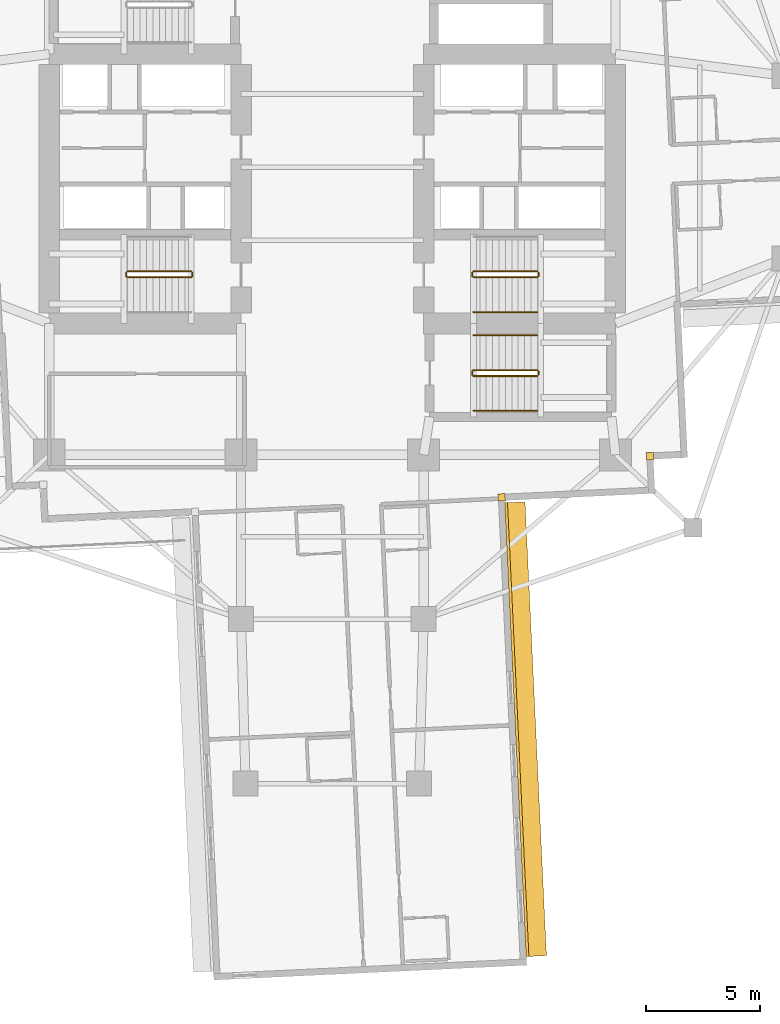
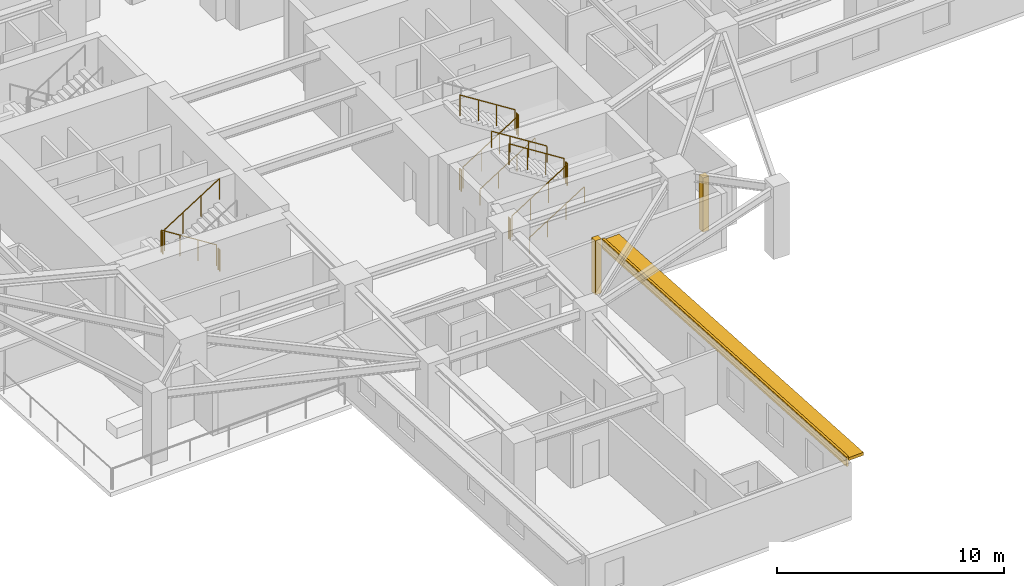
# One storey, part 11 of 14: 15 railings, 3 coverings, 1 shading device.
"""IFC4 building model written with IfcOpenShell, lengths in metres."""

from ifc_helpers import new_model, si_unit, direction, frame, origin, origin_2d, place, context, subcontext, project, spatial, rectangle, circle, extrude, material, layer, layer_set, type_object, element, save


model = new_model("IFC4")

# Units and contexts
model_context = context("Model", 3, precision=1e-05, world=origin(), true_north=direction((0.0, 1.0)))
body_context = subcontext(model_context, "Body", "Model", "MODEL_VIEW")
ifc_project = project(units=[si_unit("LENGTHUNIT", "METRE"), si_unit("AREAUNIT", "SQUARE_METRE"), si_unit("VOLUMEUNIT", "CUBIC_METRE"), si_unit("PLANEANGLEUNIT", "RADIAN"), si_unit("MASSUNIT", "GRAM", prefix="KILO")], contexts=[model_context])

# Site, building, storey
site_placement = place(None, origin())
site = spatial("IfcSite", under=ifc_project, at=site_placement, CompositionType="ELEMENT")
building_placement = place(site_placement, origin())
building = spatial("IfcBuilding", under=site, at=building_placement, Name="Qingluan Cross Belvedere", CompositionType="ELEMENT")
storey_placement = place(building_placement, frame((0.0, 0.0, 52.199951171875)))
storey = spatial("IfcBuildingStorey", under=building, at=storey_placement, Name="L13", CompositionType="ELEMENT", Elevation=52.199951171875)

# Coverings
ifc_material_1 = material(Name="Precast concrete C45", Category="concrete")
ifc_layer_1 = layer(ifc_material_1, 0.1201171875, Name="ConcreteSpandrelCladding_120")
ifc_layer_set_1 = layer_set([ifc_layer_1], Name="Precast concrete C45")
covering_type = type_object("IfcCoveringType", Name="ConcreteSpandrelCladding_120", PredefinedType="CLADDING", material=ifc_layer_set_1)
covering_placement = place(storey_placement, frame((8.07958984375, -24.63671875, 2.449951171875), z_axis=(0.0, 0.0, 1.0), x_axis=(-0.047104684445, 0.998889958255, 0.0)))
element("IfcCovering", 1, at=covering_placement, inside=storey, type_object=covering_type, Name="Spandrel cladding L13-SB", PredefinedType="CLADDING", context=body_context, shape_type="SweptSolid", body=[
    extrude(rectangle(XDim=19.89990234375, YDim=0.1201171875, at=origin_2d()), origin(), (0.0, 0.0, 1.0), 0.52001953125),
])
for number, where, z_axis, x_axis, name in (
    (2, (13.911865234375, -12.65869140625, 0.0), (0.0, 0.0, 1.0), (0.998889874962, 0.04710645071, 0.0), "Corner closure L13-SE1"),
    (3, (7.40966796875, -14.467041015625, 0.0), (0.0, 0.0, 1.0), (0.998889874962, 0.04710645071, 0.0), "Corner closure L13-SE2"),
):
    element("IfcCovering", number, at=place(storey_placement, frame(where, z_axis=z_axis, x_axis=x_axis)), inside=storey, type_object=covering_type, Name=name, PredefinedType="CLADDING", context=body_context, shape_type="SweptSolid", body=[
        extrude(rectangle(XDim=0.320068359375, YDim=0.320068359375, at=origin_2d()), origin(), (0.0, 0.0, 1.0), 2.909912109375),
    ])

# Shading device
ifc_material_2 = material(Name="Precast concrete C45", Category="concrete")
ifc_layer_2 = layer(ifc_material_2, 0.159912109375, Name="ConcreteSunshadeBand_900")
ifc_layer_set_2 = layer_set([ifc_layer_2], Name="Precast concrete C45")
shading_device_type = type_object("IfcShadingDeviceType", Name="ConcreteSunshadeBand_900", PredefinedType="USERDEFINED", material=ifc_layer_set_2)
shading_device_placement = place(storey_placement, frame((8.458984375, -24.618896484375, 2.72998046875), z_axis=(0.0, 0.0, 1.0), x_axis=(-0.047104684445, 0.998889958255, 0.0)))
element("IfcShadingDevice", 4, at=shading_device_placement, inside=storey, type_object=shading_device_type, Name="Concrete SUNSHADE L13-SB", ObjectType="SUNSHADE", PredefinedType="USERDEFINED", context=body_context, shape_type="SweptSolid", body=[
    extrude(rectangle(XDim=19.89990234375, YDim=0.89990234375, at=origin_2d()), origin(), (0.0, 0.0, 1.0), 0.159912109375),
])

# Railings
ifc_material_3 = material(Name="Brushed stainless steel tubular handrail", Category="steel")
railing_type_1 = type_object("IfcRailingType", Name="StairPitchHandrail_900", PredefinedType="HANDRAIL", material=ifc_material_3)
for number, where, name in (
    (5, (6.179931640625, -6.35009765625, 0.17724609375), "L13 ST2 stair handrail 1"),
    (6, (6.179931640625, -10.669921875, 0.17724609375), "L13 ST4 stair handrail 1"),
):
    element("IfcRailing", number, at=place(storey_placement, frame(where)), inside=storey, type_object=railing_type_1, Name=name, PredefinedType="HANDRAIL", context=body_context, shape_type="SweptSolid", body=[
        extrude(circle(Radius=0.02392578125, at=origin_2d()), frame((0.0, 0.0, 0.8759765625), z_axis=(0.844908973607, 0.0, 0.534910110503), x_axis=(0.0, 1.0, 0.0)), (0.0, 0.0, 1.0), 3.31396484375),
        extrude(circle(Radius=0.02099609375, at=origin_2d()), origin(), (0.0, 0.0, 1.0), 0.851806640625),
        extrude(circle(Radius=0.02099609375, at=origin_2d()), frame((0.933349609375, 0.0, 0.5908203125)), (0.0, 0.0, 1.0), 0.851806640625),
        extrude(circle(Radius=0.02099609375, at=origin_2d()), frame((1.86669921875, 0.0, 1.181884765625)), (0.0, 0.0, 1.0), 0.851806640625),
        extrude(circle(Radius=0.02099609375, at=origin_2d()), frame((2.800048828125, 0.0, 1.772705078125)), (0.0, 0.0, 1.0), 0.851806640625),
    ])
railing_1_placement = place(storey_placement, frame((8.97998046875, -7.3701171875, 2.12744140625)))
element("IfcRailing", 7, at=railing_1_placement, inside=storey, type_object=railing_type_1, Name="L13 ST4 stair handrail 2", PredefinedType="HANDRAIL", context=body_context, shape_type="SweptSolid", body=[
    extrude(circle(Radius=0.02392578125, at=origin_2d()), frame((0.0, 0.0, 0.8759765625), z_axis=(-0.844908973607, 0.0, 0.534910110503), x_axis=(0.0, -1.0, 0.0)), (0.0, 0.0, 1.0), 3.31396484375),
    extrude(circle(Radius=0.02099609375, at=origin_2d()), origin(), (0.0, 0.0, 1.0), 0.851806640625),
    extrude(circle(Radius=0.02099609375, at=origin_2d()), frame((-0.933349609375, 0.0, 0.5908203125)), (0.0, 0.0, 1.0), 0.851806640625),
    extrude(circle(Radius=0.02099609375, at=origin_2d()), frame((-1.86669921875, 0.0, 1.181884765625)), (0.0, 0.0, 1.0), 0.851806640625),
    extrude(circle(Radius=0.02099609375, at=origin_2d()), frame((-2.800048828125, 0.0, 1.772705078125)), (0.0, 0.0, 1.0), 0.851806640625),
])
ifc_material_4 = material(Name="Painted steel stair well guard", Category="steel")
railing_type_2 = type_object("IfcRailingType", Name="StairWellGuard_1150", PredefinedType="BALUSTRADE", material=ifc_material_4)
railing_2_placement = place(storey_placement, frame((-6.179931640625, -4.570068359375, 0.17724609375)))
element("IfcRailing", 8, at=railing_2_placement, inside=storey, type_object=railing_type_2, Name="L13 ST1 stair guard 1", PredefinedType="BALUSTRADE", context=body_context, shape_type="SweptSolid", body=[
    extrude(circle(Radius=0.02392578125, at=origin_2d()), frame((0.0, 0.0, 1.1259765625), z_axis=(-0.844908973607, 0.0, 0.534910110503), x_axis=(0.0, -1.0, 0.0)), (0.0, 0.0, 1.0), 3.31396484375),
    extrude(circle(Radius=0.02099609375, at=origin_2d()), origin(), (0.0, 0.0, 1.0), 1.101806640625),
    extrude(circle(Radius=0.02099609375, at=origin_2d()), frame((-0.933349609375, 0.0, 0.5908203125)), (0.0, 0.0, 1.0), 1.101806640625),
    extrude(circle(Radius=0.02099609375, at=origin_2d()), frame((-1.86669921875, 0.0, 1.181884765625)), (0.0, 0.0, 1.0), 1.101806640625),
    extrude(circle(Radius=0.02099609375, at=origin_2d()), frame((-2.800048828125, 0.0, 1.772705078125)), (0.0, 0.0, 1.0), 1.101806640625),
])
railing_3_placement = place(storey_placement, frame((-9.030029296875, -4.6201171875, 1.949951171875)))
element("IfcRailing", 9, at=railing_3_placement, inside=storey, type_object=railing_type_2, Name="L13 ST1 stair guard 2", PredefinedType="BALUSTRADE", context=body_context, shape_type="SweptSolid", body=[
    extrude(circle(Radius=0.02392578125, at=origin_2d()), frame((0.0, 0.0, 1.1259765625), z_axis=(0.0, -1.0, 0.0), x_axis=(1.0, 0.0, 0.0)), (0.0, 0.0, 1.0), 0.159912109375),
    extrude(circle(Radius=0.02099609375, at=origin_2d()), origin(), (0.0, 0.0, 1.0), 1.101806640625),
    extrude(circle(Radius=0.02099609375, at=origin_2d()), frame((0.0, -0.159912109375, 0.0)), (0.0, 0.0, 1.0), 1.101806640625),
])
railing_4_placement = place(storey_placement, frame((-8.97998046875, -4.830078125, 2.12744140625)))
element("IfcRailing", 10, at=railing_4_placement, inside=storey, type_object=railing_type_2, Name="L13 ST1 stair guard 3", PredefinedType="BALUSTRADE", context=body_context, shape_type="SweptSolid", body=[
    extrude(circle(Radius=0.02392578125, at=origin_2d()), frame((0.0, 0.0, 1.1259765625), z_axis=(0.844908973607, 0.0, 0.534910110503), x_axis=(0.0, 1.0, 0.0)), (0.0, 0.0, 1.0), 3.31396484375),
    extrude(circle(Radius=0.02099609375, at=origin_2d()), origin(), (0.0, 0.0, 1.0), 1.101806640625),
    extrude(circle(Radius=0.02099609375, at=origin_2d()), frame((0.933349609375, 0.0, 0.5908203125)), (0.0, 0.0, 1.0), 1.101806640625),
    extrude(circle(Radius=0.02099609375, at=origin_2d()), frame((1.86669921875, 0.0, 1.181884765625)), (0.0, 0.0, 1.0), 1.101806640625),
    extrude(circle(Radius=0.02099609375, at=origin_2d()), frame((2.800048828125, 0.0, 1.772705078125)), (0.0, 0.0, 1.0), 1.101806640625),
])
railing_5_placement = place(storey_placement, frame((-6.1298828125, -4.6201171875, 0.0)))
element("IfcRailing", 11, at=railing_5_placement, inside=storey, type_object=railing_type_2, Name="L13 ST1 stair guard 4", PredefinedType="BALUSTRADE", context=body_context, shape_type="SweptSolid", body=[
    extrude(circle(Radius=0.02392578125, at=origin_2d()), frame((0.0, 0.0, 1.1259765625), z_axis=(0.0, -1.0, 0.0), x_axis=(1.0, 0.0, 0.0)), (0.0, 0.0, 1.0), 0.159912109375),
    extrude(circle(Radius=0.02099609375, at=origin_2d()), origin(), (0.0, 0.0, 1.0), 1.101806640625),
    extrude(circle(Radius=0.02099609375, at=origin_2d()), frame((0.0, -0.159912109375, 0.0)), (0.0, 0.0, 1.0), 1.101806640625),
])
railing_6_placement = place(storey_placement, frame((6.179931640625, -4.830078125, 0.17724609375)))
element("IfcRailing", 12, at=railing_6_placement, inside=storey, type_object=railing_type_2, Name="L13 ST2 stair guard 1", PredefinedType="BALUSTRADE", context=body_context, shape_type="SweptSolid", body=[
    extrude(circle(Radius=0.02392578125, at=origin_2d()), frame((0.0, 0.0, 1.1259765625), z_axis=(0.844908973607, 0.0, 0.534910110503), x_axis=(0.0, 1.0, 0.0)), (0.0, 0.0, 1.0), 3.31396484375),
    extrude(circle(Radius=0.02099609375, at=origin_2d()), origin(), (0.0, 0.0, 1.0), 1.101806640625),
    extrude(circle(Radius=0.02099609375, at=origin_2d()), frame((0.933349609375, 0.0, 0.5908203125)), (0.0, 0.0, 1.0), 1.101806640625),
    extrude(circle(Radius=0.02099609375, at=origin_2d()), frame((1.86669921875, 0.0, 1.181884765625)), (0.0, 0.0, 1.0), 1.101806640625),
    extrude(circle(Radius=0.02099609375, at=origin_2d()), frame((2.800048828125, 0.0, 1.772705078125)), (0.0, 0.0, 1.0), 1.101806640625),
])
railing_7_placement = place(storey_placement, frame((9.030029296875, -4.780029296875, 1.949951171875)))
element("IfcRailing", 13, at=railing_7_placement, inside=storey, type_object=railing_type_2, Name="L13 ST2 stair guard 2", PredefinedType="BALUSTRADE", context=body_context, shape_type="SweptSolid", body=[
    extrude(circle(Radius=0.02392578125, at=origin_2d()), frame((0.0, 0.0, 1.1259765625), z_axis=(0.0, 1.0, 0.0), x_axis=(-1.0, 0.0, 0.0)), (0.0, 0.0, 1.0), 0.159912109375),
    extrude(circle(Radius=0.02099609375, at=origin_2d()), origin(), (0.0, 0.0, 1.0), 1.101806640625),
    extrude(circle(Radius=0.02099609375, at=origin_2d()), frame((0.0, 0.159912109375, 0.0)), (0.0, 0.0, 1.0), 1.101806640625),
])
railing_8_placement = place(storey_placement, frame((8.97998046875, -4.570068359375, 2.12744140625)))
element("IfcRailing", 14, at=railing_8_placement, inside=storey, type_object=railing_type_2, Name="L13 ST2 stair guard 3", PredefinedType="BALUSTRADE", context=body_context, shape_type="SweptSolid", body=[
    extrude(circle(Radius=0.02392578125, at=origin_2d()), frame((0.0, 0.0, 1.1259765625), z_axis=(-0.844908973607, 0.0, 0.534910110503), x_axis=(0.0, -1.0, 0.0)), (0.0, 0.0, 1.0), 3.31396484375),
    extrude(circle(Radius=0.02099609375, at=origin_2d()), origin(), (0.0, 0.0, 1.0), 1.101806640625),
    extrude(circle(Radius=0.02099609375, at=origin_2d()), frame((-0.933349609375, 0.0, 0.5908203125)), (0.0, 0.0, 1.0), 1.101806640625),
    extrude(circle(Radius=0.02099609375, at=origin_2d()), frame((-1.86669921875, 0.0, 1.181884765625)), (0.0, 0.0, 1.0), 1.101806640625),
    extrude(circle(Radius=0.02099609375, at=origin_2d()), frame((-2.800048828125, 0.0, 1.772705078125)), (0.0, 0.0, 1.0), 1.101806640625),
])
railing_9_placement = place(storey_placement, frame((6.1298828125, -4.780029296875, 0.0)))
element("IfcRailing", 15, at=railing_9_placement, inside=storey, type_object=railing_type_2, Name="L13 ST2 stair guard 4", PredefinedType="BALUSTRADE", context=body_context, shape_type="SweptSolid", body=[
    extrude(circle(Radius=0.02392578125, at=origin_2d()), frame((0.0, 0.0, 1.1259765625), z_axis=(0.0, 1.0, 0.0), x_axis=(-1.0, 0.0, 0.0)), (0.0, 0.0, 1.0), 0.159912109375),
    extrude(circle(Radius=0.02099609375, at=origin_2d()), origin(), (0.0, 0.0, 1.0), 1.101806640625),
    extrude(circle(Radius=0.02099609375, at=origin_2d()), frame((0.0, 0.159912109375, 0.0)), (0.0, 0.0, 1.0), 1.101806640625),
])
railing_10_placement = place(storey_placement, frame((6.179931640625, -9.14990234375, 0.17724609375)))
element("IfcRailing", 16, at=railing_10_placement, inside=storey, type_object=railing_type_2, Name="L13 ST4 stair guard 1", PredefinedType="BALUSTRADE", context=body_context, shape_type="SweptSolid", body=[
    extrude(circle(Radius=0.02392578125, at=origin_2d()), frame((0.0, 0.0, 1.1259765625), z_axis=(0.844908973607, 0.0, 0.534910110503), x_axis=(0.0, 1.0, 0.0)), (0.0, 0.0, 1.0), 3.31396484375),
    extrude(circle(Radius=0.02099609375, at=origin_2d()), origin(), (0.0, 0.0, 1.0), 1.101806640625),
    extrude(circle(Radius=0.02099609375, at=origin_2d()), frame((0.933349609375, 0.0, 0.5908203125)), (0.0, 0.0, 1.0), 1.101806640625),
    extrude(circle(Radius=0.02099609375, at=origin_2d()), frame((1.86669921875, 0.0, 1.181884765625)), (0.0, 0.0, 1.0), 1.101806640625),
    extrude(circle(Radius=0.02099609375, at=origin_2d()), frame((2.800048828125, 0.0, 1.772705078125)), (0.0, 0.0, 1.0), 1.101806640625),
])
railing_11_placement = place(storey_placement, frame((9.030029296875, -9.10009765625, 1.949951171875)))
element("IfcRailing", 17, at=railing_11_placement, inside=storey, type_object=railing_type_2, Name="L13 ST4 stair guard 2", PredefinedType="BALUSTRADE", context=body_context, shape_type="SweptSolid", body=[
    extrude(circle(Radius=0.02392578125, at=origin_2d()), frame((0.0, 0.0, 1.1259765625), z_axis=(0.0, 1.0, 0.0), x_axis=(-1.0, 0.0, 0.0)), (0.0, 0.0, 1.0), 0.16015625),
    extrude(circle(Radius=0.02099609375, at=origin_2d()), origin(), (0.0, 0.0, 1.0), 1.101806640625),
    extrude(circle(Radius=0.02099609375, at=origin_2d()), frame((0.0, 0.16015625, 0.0)), (0.0, 0.0, 1.0), 1.101806640625),
])
railing_12_placement = place(storey_placement, frame((8.97998046875, -8.889892578125, 2.12744140625)))
element("IfcRailing", 18, at=railing_12_placement, inside=storey, type_object=railing_type_2, Name="L13 ST4 stair guard 3", PredefinedType="BALUSTRADE", context=body_context, shape_type="SweptSolid", body=[
    extrude(circle(Radius=0.02392578125, at=origin_2d()), frame((0.0, 0.0, 1.1259765625), z_axis=(-0.844908973607, 0.0, 0.534910110503), x_axis=(0.0, -1.0, 0.0)), (0.0, 0.0, 1.0), 3.31396484375),
    extrude(circle(Radius=0.02099609375, at=origin_2d()), origin(), (0.0, 0.0, 1.0), 1.101806640625),
    extrude(circle(Radius=0.02099609375, at=origin_2d()), frame((-0.933349609375, 0.0, 0.5908203125)), (0.0, 0.0, 1.0), 1.101806640625),
    extrude(circle(Radius=0.02099609375, at=origin_2d()), frame((-1.86669921875, 0.0, 1.181884765625)), (0.0, 0.0, 1.0), 1.101806640625),
    extrude(circle(Radius=0.02099609375, at=origin_2d()), frame((-2.800048828125, 0.0, 1.772705078125)), (0.0, 0.0, 1.0), 1.101806640625),
])
railing_13_placement = place(storey_placement, frame((6.1298828125, -9.10009765625, 0.0)))
element("IfcRailing", 19, at=railing_13_placement, inside=storey, type_object=railing_type_2, Name="L13 ST4 stair guard 4", PredefinedType="BALUSTRADE", context=body_context, shape_type="SweptSolid", body=[
    extrude(circle(Radius=0.02392578125, at=origin_2d()), frame((0.0, 0.0, 1.1259765625), z_axis=(0.0, 1.0, 0.0), x_axis=(-1.0, 0.0, 0.0)), (0.0, 0.0, 1.0), 0.16015625),
    extrude(circle(Radius=0.02099609375, at=origin_2d()), origin(), (0.0, 0.0, 1.0), 1.101806640625),
    extrude(circle(Radius=0.02099609375, at=origin_2d()), frame((0.0, 0.16015625, 0.0)), (0.0, 0.0, 1.0), 1.101806640625),
])

save(model, "model.ifc")
